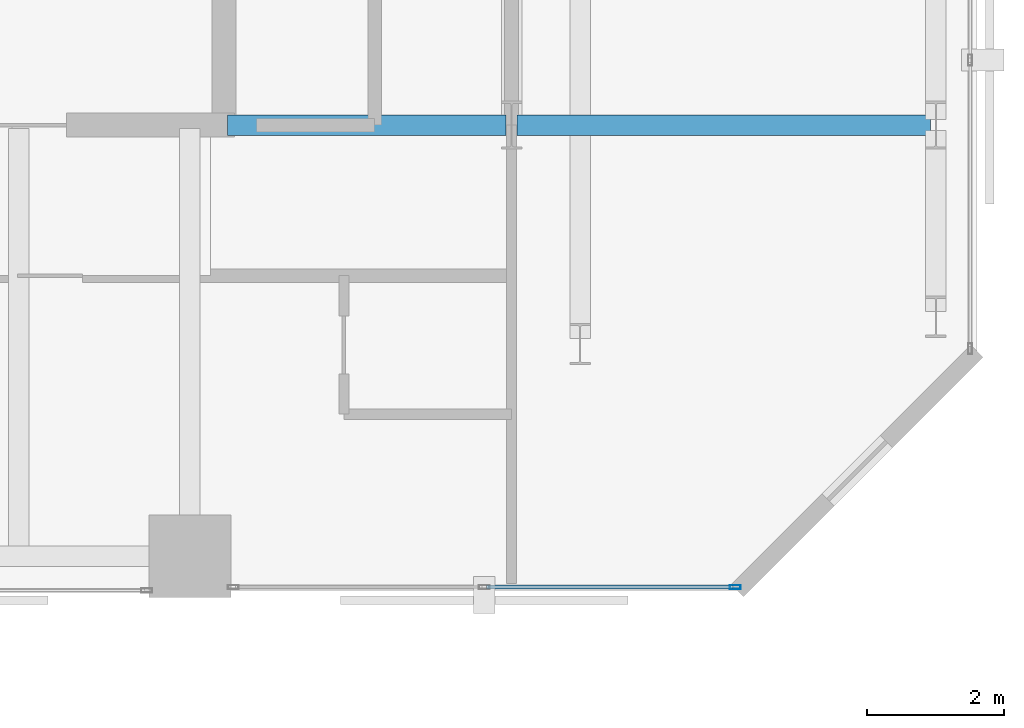
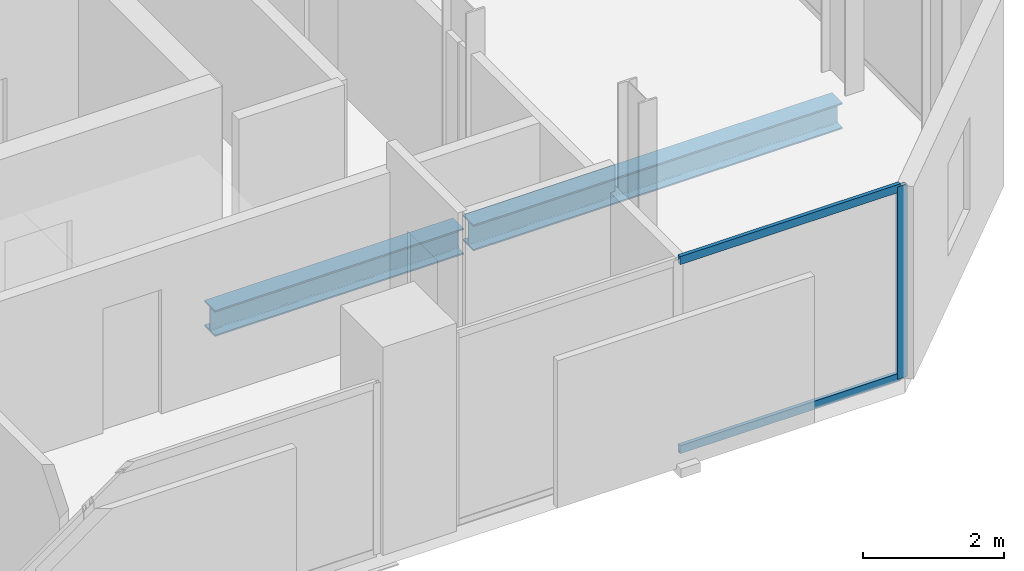
# One storey, part 15 of 32: 3 members, 2 beams, 1 element without a shape of its own.
"""IFC4 building model written with IfcOpenShell, lengths in metres."""

import ifcopenshell
import ifcopenshell.guid

model = None  # the IFC model being written
_history = None  # IfcOwnerHistory: only IFC2X3 demands one
_inside = {}  # id of a spatial element -> (the spatial element, [elements in it])
_under = {}  # id of a project, library or spatial element -> (it, [spatial elements below it])
_declared = {}  # id of a project -> (the project, [libraries it declares])
_typed = {}  # id of a type object -> (the type object, [elements of that type])
_made_of = {}  # id of a material, layer set ... -> (it, [elements and type objects made of it])


def new_model(schema):
    """Start an empty IFC model of exactly this schema.

    Asked for "IFC4X3", IfcOpenShell would pick the latest addendum, in which some entities
    have other attributes; the version numbers below select the first issue.
    IFC2X3 requires an IfcOwnerHistory on every rooted entity: one is made here for all.
    """
    global model, _history
    if schema == "IFC4X3":
        model = ifcopenshell.file(schema_version=(4, 3, 0, 0))
    else:
        model = ifcopenshell.file(schema=schema)
    _inside.clear()
    _under.clear()
    _declared.clear()
    _typed.clear()
    _made_of.clear()
    _history = None
    if model.schema == "IFC2X3":
        org = make("IfcOrganization", Name="unknown")
        user = make(
            "IfcPersonAndOrganization",
            ThePerson=make("IfcPerson", FamilyName="unknown"),
            TheOrganization=org,
        )
        app = make(
            "IfcApplication",
            ApplicationDeveloper=org,
            Version="unknown",
            ApplicationFullName="unknown",
            ApplicationIdentifier="unknown",
        )
        _history = make(
            "IfcOwnerHistory",
            OwningUser=user,
            OwningApplication=app,
            ChangeAction="ADDED",
            CreationDate=0,
        )
    return model


def make(cls, **values):
    """One entity of the class cls with the attributes given. An attribute that is None is left unset."""
    return model.create_entity(
        cls, **{name: value for name, value in values.items() if value is not None}
    )


def rooted(cls, **values):
    """An entity with a GlobalId (a new one), such as an element, a storey or a relation."""
    return make(cls, GlobalId=ifcopenshell.guid.new(), OwnerHistory=_history, **values)


def si_unit(unit_type, name, prefix=None):
    """IfcSIUnit, for example si_unit("LENGTHUNIT", "METRE", prefix="MILLI")."""
    return make("IfcSIUnit", UnitType=unit_type, Prefix=prefix, Name=name)


def assignment(units):
    """IfcUnitAssignment: the units of a project."""
    return None if units is None else make("IfcUnitAssignment", Units=units)


def point(xyz):
    """IfcCartesianPoint."""
    return None if xyz is None else make("IfcCartesianPoint", Coordinates=xyz)


def direction(xyz):
    """IfcDirection."""
    return None if xyz is None else make("IfcDirection", DirectionRatios=xyz)


def frame(location, z_axis=None, x_axis=None):
    """IfcAxis2Placement3D, a coordinate frame: its origin and axes. An axis left out is left unset."""
    return make(
        "IfcAxis2Placement3D",
        Location=point(location),
        Axis=direction(z_axis),
        RefDirection=direction(x_axis),
    )


def frame_2d(location, x_axis=None):
    """IfcAxis2Placement2D, a coordinate frame in the plane: its origin and x axis."""
    return make(
        "IfcAxis2Placement2D", Location=point(location), RefDirection=direction(x_axis)
    )


def origin():
    """The frame at (0, 0, 0) with its axes left unset."""
    return frame((0.0, 0.0, 0.0))


def origin_2d():
    """The frame at (0, 0) in the plane with its x axis left unset."""
    return frame_2d((0.0, 0.0))


def place(relative_to, where):
    """IfcLocalPlacement: puts the frame where relative to a parent placement (None: the world)."""
    return make(
        "IfcLocalPlacement", PlacementRelTo=relative_to, RelativePlacement=where
    )


def context(
    kind, dimensions, precision=None, world=None, true_north=None, identifier=None
):
    """IfcGeometricRepresentationContext, for example the 3D "Model" context."""
    return make(
        "IfcGeometricRepresentationContext",
        ContextIdentifier=identifier,
        ContextType=kind,
        CoordinateSpaceDimension=dimensions,
        Precision=precision,
        WorldCoordinateSystem=world,
        TrueNorth=true_north,
    )


def subcontext(parent, identifier, kind, view, scale=None):
    """IfcGeometricRepresentationSubContext, for example "Body" below "Model"."""
    return make(
        "IfcGeometricRepresentationSubContext",
        ContextIdentifier=identifier,
        ContextType=kind,
        ParentContext=parent,
        TargetScale=scale,
        TargetView=view,
    )


def project(units=None, contexts=None):
    """IfcProject with its units and contexts."""
    return rooted(
        "IfcProject",
        Name="project",
        RepresentationContexts=contexts,
        UnitsInContext=assignment(units),
    )


def spatial(cls, under=None, at=None, **own):
    """A site, building, storey or space (cls), placed at a placement, below another one or the project."""
    s = rooted(cls, ObjectPlacement=at, **own)
    if under is not None:
        _under.setdefault(under.id(), (under, []))[1].append(s)
    return s


def profile(cls, at=None, kind="AREA", **sizes):
    """A parametric profile (cls). Its sizes go by their IFC names, for example OverallWidth=200.0."""
    return make(cls, ProfileType=kind, Position=at, **sizes)


def hollow_rectangle(**sizes):
    """IfcRectangleHollowProfileDef."""
    return profile("IfcRectangleHollowProfileDef", **sizes)


def i_section(**sizes):
    """IfcIShapeProfileDef."""
    return profile("IfcIShapeProfileDef", **sizes)


def extrude(swept, where, along, depth):
    """IfcExtrudedAreaSolid: the profile swept, set in the frame where, extruded along a direction by depth."""
    return make(
        "IfcExtrudedAreaSolid",
        SweptArea=swept,
        Position=where,
        ExtrudedDirection=direction(along),
        Depth=depth,
    )


def shape(context_of_items, identifier, shape_type, items):
    """IfcShapeRepresentation: the items that make up one representation, for example the "Body"."""
    return make(
        "IfcShapeRepresentation",
        ContextOfItems=context_of_items,
        RepresentationIdentifier=identifier,
        RepresentationType=shape_type,
        Items=items,
    )


def material(Name=None, Category=None):
    """IfcMaterial."""
    return make("IfcMaterial", Name=Name, Category=Category)


def layer(
    of_material, thickness, ventilated=None, Name=None, Category=None, Priority=None
):
    """IfcMaterialLayer: one layer of a wall or slab, of a material (None: an air gap)."""
    return make(
        "IfcMaterialLayer",
        Material=of_material,
        LayerThickness=thickness,
        IsVentilated=ventilated,
        Name=Name,
        Category=Category,
        Priority=Priority,
    )


def layer_set(layers, Name=None):
    """IfcMaterialLayerSet."""
    return make("IfcMaterialLayerSet", MaterialLayers=layers, LayerSetName=Name)


def material_profile(
    of_material, cross_section, Name=None, Category=None, Priority=None
):
    """IfcMaterialProfile: a cross section and its material."""
    return make(
        "IfcMaterialProfile",
        Name=Name,
        Material=of_material,
        Profile=cross_section,
        Priority=Priority,
        Category=Category,
    )


def profile_set(profiles, Name=None, composite=None):
    """IfcMaterialProfileSet."""
    return make(
        "IfcMaterialProfileSet",
        Name=Name,
        MaterialProfiles=profiles,
        CompositeProfile=composite,
    )


def made_of(thing, what):
    """Note that an element or type object is made of a material, layer set ...; save() writes the relation."""
    if what is not None:
        _made_of.setdefault(what.id(), (what, []))[1].append(thing)
    return thing


def type_object(cls, material=None, **own):
    """A type object (cls), such as IfcWallType, which elements share."""
    return made_of(rooted(cls, **own), material)


def element(
    cls,
    number,
    at=None,
    inside=None,
    cuts=None,
    type_object=None,
    material=None,
    context=None,
    identifier="Body",
    shape_type=None,
    held_by="IfcProductDefinitionShape",
    body=None,
    shapes=None,
    **own,
):
    """One element of the class cls, such as IfcWall. Its Tag is "e" and its number.

    at: its placement. inside: the storey or other place that contains it. cuts: it is an
    opening in that element (IfcRelVoidsElement). A single representation is given by context,
    identifier, shape_type and body (its items); several are given by shapes. held_by: the class
    of the entity that holds the representations. save() writes the other relations.
    """
    e = rooted(cls, Tag="e%d" % number, ObjectPlacement=at, **own)
    if body is not None:
        shapes = [shape(context, identifier, shape_type, body)]
    if shapes is not None:
        e.Representation = make(held_by, Representations=shapes)
    if inside is not None:
        _inside.setdefault(inside.id(), (inside, []))[1].append(e)
    if cuts is not None:
        rooted(
            "IfcRelVoidsElement", RelatingBuildingElement=cuts, RelatedOpeningElement=e
        )
    if type_object is not None:
        _typed.setdefault(type_object.id(), (type_object, []))[1].append(e)
    return made_of(e, material)


def aggregate(whole, parts):
    """IfcRelAggregates: a whole, such as a stair, and the parts it consists of."""
    return rooted("IfcRelAggregates", RelatingObject=whole, RelatedObjects=parts)


def save(model, path):
    """Write the relations noted so far, then the file.

    IfcRelAggregates (storeys below a building ...), IfcRelContainedInSpatialStructure (elements
    in a storey), IfcRelDefinesByType, IfcRelAssociatesMaterial and IfcRelDeclares: one each for
    every whole, place, type object, material and project.
    """
    for whole, parts in _under.values():
        aggregate(whole, parts)
    for where, things in _inside.values():
        rooted(
            "IfcRelContainedInSpatialStructure",
            RelatedElements=things,
            RelatingStructure=where,
        )
    for kind, things in _typed.values():
        rooted("IfcRelDefinesByType", RelatedObjects=things, RelatingType=kind)
    for what, things in _made_of.values():
        rooted("IfcRelAssociatesMaterial", RelatedObjects=things, RelatingMaterial=what)
    for by, libraries in _declared.values():
        rooted("IfcRelDeclares", RelatingContext=by, RelatedDefinitions=libraries)
    model.write(path)


model = new_model("IFC4")

# Units and contexts
model_context = context("Model", 3, precision=1e-05, world=origin(), true_north=direction((0.0, 1.0)))
body_context = subcontext(model_context, "Body", "Model", "MODEL_VIEW")
ifc_project = project(units=[si_unit("LENGTHUNIT", "METRE"), si_unit("AREAUNIT", "SQUARE_METRE"), si_unit("VOLUMEUNIT", "CUBIC_METRE"), si_unit("PLANEANGLEUNIT", "RADIAN"), si_unit("MASSUNIT", "GRAM", prefix="KILO")], contexts=[model_context])

# Site, building, storey
site_placement = place(None, origin())
site = spatial("IfcSite", under=ifc_project, at=site_placement, CompositionType="ELEMENT")
building_placement = place(site_placement, origin())
building = spatial("IfcBuilding", under=site, at=building_placement, Name="Catumbela Crestline Tower", CompositionType="ELEMENT")
storey_placement = place(building_placement, frame((0.0, 0.0, 122.4)))
storey = spatial("IfcBuildingStorey", under=building, at=storey_placement, Name="L31", CompositionType="ELEMENT", Elevation=122.4)

# Beams
ifc_material_1 = material(Name="Structural steel S355J2", Category="steel")
ifc_material_profile_1 = material_profile(ifc_material_1, i_section(OverallWidth=0.3, OverallDepth=0.45, WebThickness=0.014, FlangeThickness=0.026, FilletRadius=0.027, at=origin_2d()), Name="HEB 450")
ifc_profile_set_1 = profile_set([ifc_material_profile_1], Name="Structural steel S355J2")
beam_type = type_object("IfcBeamType", Name="BG-HEB450", PredefinedType="BEAM", material=ifc_profile_set_1)
beam_1_placement = place(storey_placement, frame((40.05, 30.8, -0.485), z_axis=(1.0, 0.0, 0.0), x_axis=(0.0, 1.0, 0.0)))
element("IfcBeam", 1, at=beam_1_placement, inside=storey, type_object=beam_type, Name="L31 Beam BM-L31-M10", PredefinedType="BEAM", context=body_context, shape_type="SweptSolid", body=[
    extrude(i_section(OverallWidth=0.3, OverallDepth=0.45, WebThickness=0.014, FlangeThickness=0.026, FilletRadius=0.027, at=origin_2d()), origin(), (0.0, 0.0, 1.0), 4.07),
])
beam_2_placement = place(storey_placement, frame((44.28, 30.8, -0.485), z_axis=(1.0, 0.0, 0.0), x_axis=(0.0, 1.0, 0.0)))
element("IfcBeam", 2, at=beam_2_placement, inside=storey, type_object=beam_type, Name="L31 Beam BM-L31-M11", PredefinedType="BEAM", context=body_context, shape_type="SweptSolid", body=[
    extrude(i_section(OverallWidth=0.3, OverallDepth=0.45, WebThickness=0.014, FlangeThickness=0.026, FilletRadius=0.027, at=origin_2d()), origin(), (0.0, 0.0, 1.0), 6.04),
])

# Curtain wall, members
ifc_material_2 = material(Name="Aluminium alloy AW-6060-T66", Category="aluminium")
ifc_layer = layer(ifc_material_2, 0.18, Name="Aluminium alloy AW-6060-T66")
ifc_layer_set = layer_set([ifc_layer], Name="Aluminium alloy AW-6060-T66")
curtain_wall_type = type_object("IfcCurtainWallType", Name="CWU-Z2", PredefinedType="USERDEFINED", material=ifc_layer_set)
curtain_wall_placement = place(storey_placement, origin())
curtain_wall = element("IfcCurtainWall", 3, at=curtain_wall_placement, inside=storey, type_object=curtain_wall_type, Name="L31 Unitised Curtain Wall CW-L31-E3S2", ObjectType="UNITISED", PredefinedType="USERDEFINED")
ifc_material_profile_2 = material_profile(ifc_material_2, hollow_rectangle(XDim=0.06, YDim=0.16, WallThickness=0.004, at=origin_2d()), Name="ALU 160x60x4")
ifc_profile_set_2 = profile_set([ifc_material_profile_2], Name="Aluminium alloy AW-6060-T66")
member_type_1 = type_object("IfcMemberType", Name="MUL-160X60", PredefinedType="MULLION", material=ifc_profile_set_2)
member_1_placement = place(storey_placement, frame((47.4675, 24.05, 0.0), z_axis=(0.0, 0.0, 1.0), x_axis=(0.0, 1.0, 0.0)))
member_1 = element("IfcMember", 4, at=member_1_placement, type_object=member_type_1, Name="CWU-Z2 mullion 3", PredefinedType="MULLION", context=body_context, shape_type="SweptSolid", body=[
    extrude(hollow_rectangle(XDim=0.06, YDim=0.16, WallThickness=0.004, at=origin_2d()), origin(), (0.0, 0.0, 1.0), 3.33),
])
ifc_material_profile_3 = material_profile(ifc_material_2, hollow_rectangle(XDim=0.06, YDim=0.14, WallThickness=0.004, at=origin_2d()), Name="ALU 140x60x4")
ifc_profile_set_3 = profile_set([ifc_material_profile_3], Name="Aluminium alloy AW-6060-T66")
member_type_2 = type_object("IfcMemberType", Name="TRN-140X60", PredefinedType="USERDEFINED", material=ifc_profile_set_3)
member_2_placement = place(storey_placement, frame((43.8325, 24.05, 0.03), z_axis=(1.0, 0.0, 0.0), x_axis=(0.0, 1.0, 0.0)))
member_2 = element("IfcMember", 5, at=member_2_placement, type_object=member_type_2, Name="CWU-Z2 transom 2.1", ObjectType="TRANSOM", PredefinedType="USERDEFINED", context=body_context, shape_type="SweptSolid", body=[
    extrude(hollow_rectangle(XDim=0.06, YDim=0.14, WallThickness=0.004, at=origin_2d()), origin(), (0.0, 0.0, 1.0), 3.6025),
])
member_3_placement = place(storey_placement, frame((43.8325, 24.05, 3.3), z_axis=(1.0, 0.0, 0.0), x_axis=(0.0, 1.0, 0.0)))
member_3 = element("IfcMember", 6, at=member_3_placement, type_object=member_type_2, Name="CWU-Z2 transom 2.2", ObjectType="TRANSOM", PredefinedType="USERDEFINED", context=body_context, shape_type="SweptSolid", body=[
    extrude(hollow_rectangle(XDim=0.06, YDim=0.14, WallThickness=0.004, at=origin_2d()), origin(), (0.0, 0.0, 1.0), 3.6025),
])
aggregate(curtain_wall, [member_1, member_2, member_3])

save(model, "model.ifc")
